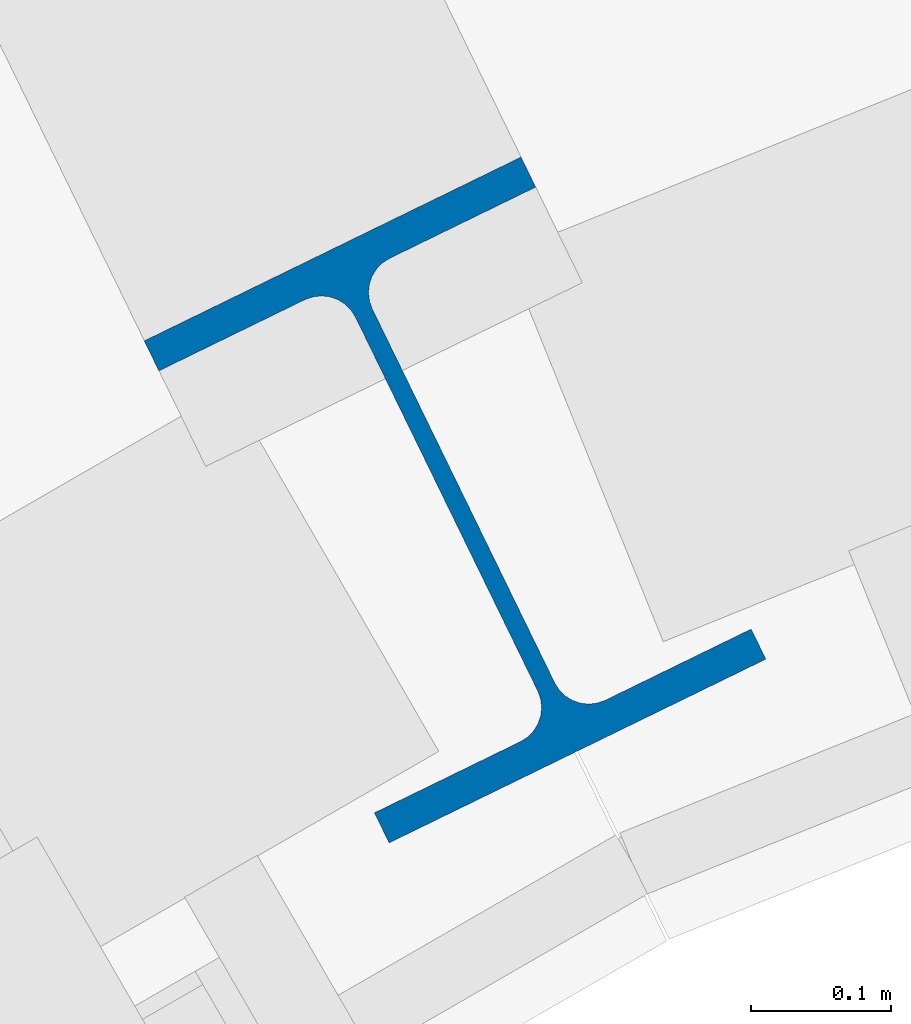
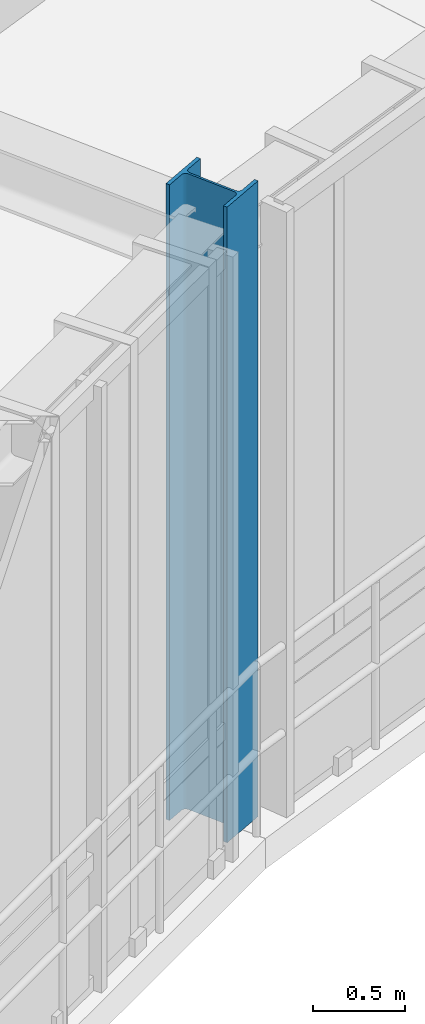
# One storey, part 6 of 52: 1 column.
"""IFC4 building model written with IfcOpenShell, lengths in metres."""

from ifc_helpers import new_model, si_unit, direction, frame, origin, origin_2d, place, context, subcontext, project, spatial, i_section, extrude, material, material_profile, profile_set, type_object, element, save


model = new_model("IFC4")

# Units and contexts
model_context = context("Model", 3, precision=1e-05, world=origin(), true_north=direction((0.0, 1.0)))
body_context = subcontext(model_context, "Body", "Model", "MODEL_VIEW")
ifc_project = project(units=[si_unit("LENGTHUNIT", "METRE"), si_unit("AREAUNIT", "SQUARE_METRE"), si_unit("VOLUMEUNIT", "CUBIC_METRE"), si_unit("PLANEANGLEUNIT", "RADIAN"), si_unit("MASSUNIT", "GRAM", prefix="KILO"), si_unit("THERMODYNAMICTEMPERATUREUNIT", "KELVIN"), si_unit("POWERUNIT", "WATT")], contexts=[model_context])

# Site, building, storey
site_placement = place(None, origin())
site = spatial("IfcSite", under=ifc_project, at=site_placement, CompositionType="ELEMENT")
building_placement = place(site_placement, origin())
building = spatial("IfcBuilding", under=site, at=building_placement, Name="Solvatero Civic Police Headquarters", CompositionType="ELEMENT")
storey_placement = place(building_placement, frame((0.0, 0.0, 13.5)))
storey = spatial("IfcBuildingStorey", under=building, at=storey_placement, Name="L03", CompositionType="ELEMENT", Elevation=13.5)

# Column
ifc_material = material(Name="Steel S355", Category="steel")
ifc_material_profile = material_profile(ifc_material, i_section(OverallWidth=0.300048828125, OverallDepth=0.39990234375, WebThickness=0.013427734375, FlangeThickness=0.02392578125, FilletRadius=0.027099609375, at=origin_2d()), Name="HEB 400")
ifc_profile_set = profile_set([ifc_material_profile], Name="Steel S355")
column_type = type_object("IfcColumnType", Name="COL-ST-HEB400", PredefinedType="COLUMN", material=ifc_profile_set)
column_placement = place(storey_placement, frame((74.119873046875, 66.76025390625, 0.0), z_axis=(0.0, 0.0, 1.0), x_axis=(0.898794046299, 0.438371146789, 0.0)))
element("IfcColumn", 1, at=column_placement, inside=storey, type_object=column_type, Name="Column ARC-S04-IN L03", PredefinedType="COLUMN", context=body_context, shape_type="SweptSolid", body=[
    extrude(i_section(OverallWidth=0.300048828125, OverallDepth=0.39990234375, WebThickness=0.013427734375, FlangeThickness=0.02392578125, FilletRadius=0.027099609375, at=origin_2d()), origin(), (0.0, 0.0, 1.0), 4.199951171875),
])

save(model, "model.ifc")
